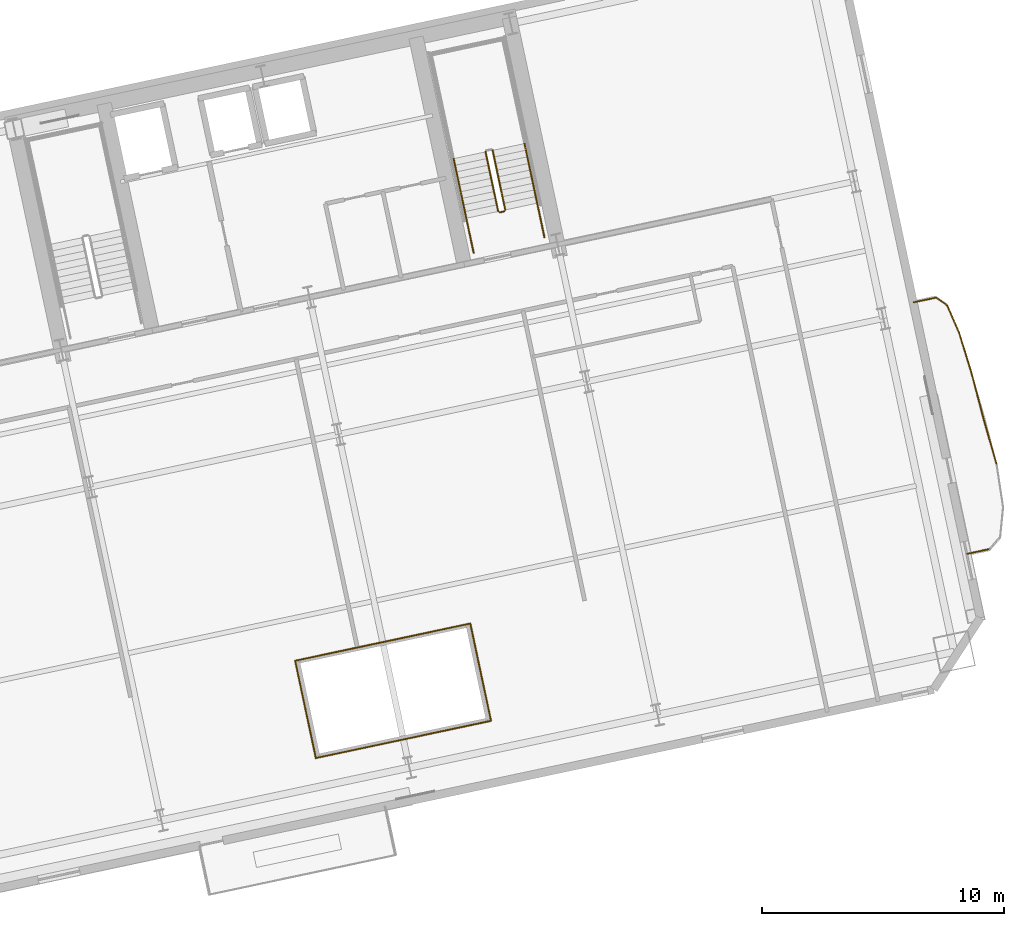
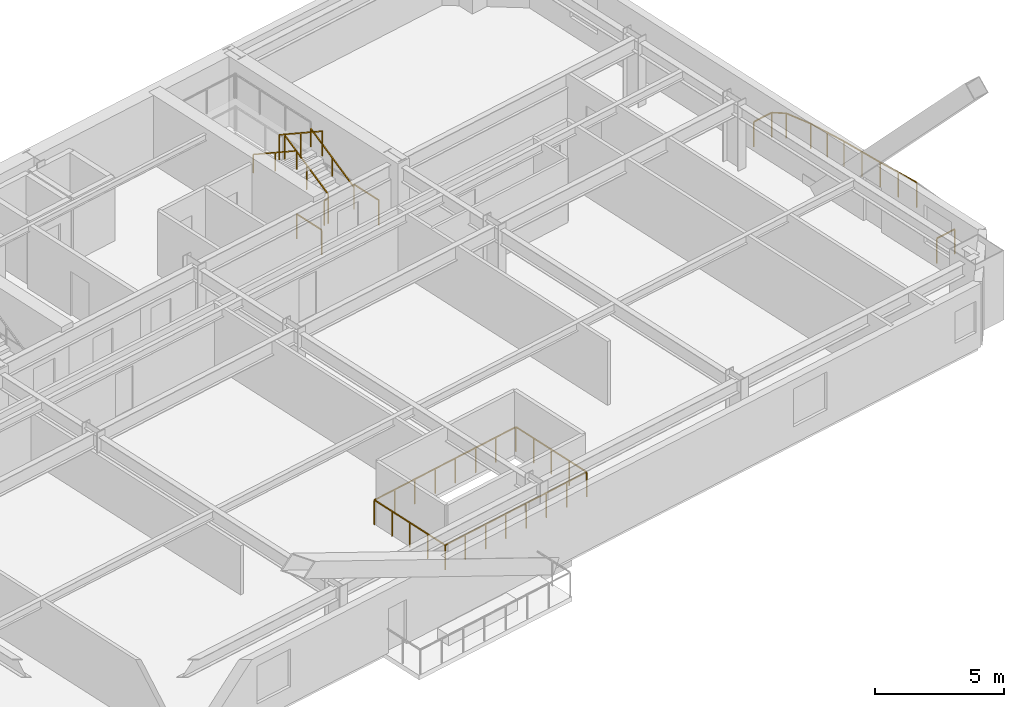
# One storey, part 16 of 18: 18 railings.
"""IFC4 building model written with IfcOpenShell, lengths in metres."""

from ifc_helpers import new_model, si_unit, direction, frame, origin, origin_2d, place, context, subcontext, project, spatial, rectangle, extrude, material, type_object, element, save


model = new_model("IFC4")

# Units and contexts
model_context = context("Model", 3, precision=1e-05, world=origin(), true_north=direction((0.0, 1.0)))
body_context = subcontext(model_context, "Body", "Model", "MODEL_VIEW")
ifc_project = project(units=[si_unit("LENGTHUNIT", "METRE"), si_unit("AREAUNIT", "SQUARE_METRE"), si_unit("VOLUMEUNIT", "CUBIC_METRE"), si_unit("PLANEANGLEUNIT", "RADIAN"), si_unit("MASSUNIT", "GRAM", prefix="KILO")], contexts=[model_context])

# Site, building, storey
site_placement = place(None, origin())
site = spatial("IfcSite", under=ifc_project, at=site_placement, CompositionType="ELEMENT")
building_placement = place(site_placement, origin())
building = spatial("IfcBuilding", under=site, at=building_placement, Name="Haevon Station Towers", CompositionType="ELEMENT")
storey_placement = place(building_placement, frame((0.0, 0.0, 60.300048828125)))
storey = spatial("IfcBuildingStorey", under=building, at=storey_placement, Name="L15", CompositionType="ELEMENT", Elevation=60.300048828125)

# Railings
ifc_material = material(Name="Steel S355", Category="steel")
railing_type_1 = type_object("IfcRailingType", Name="BAL-ATR1200", PredefinedType="BALUSTRADE", material=ifc_material)
railing_1_placement = place(storey_placement, frame((109.28857421875, 20.5556640625, 0.0)))
element("IfcRailing", 1, at=railing_1_placement, inside=storey, type_object=railing_type_1, Name="L15 Atrium Void Balustrade 1", PredefinedType="BALUSTRADE", context=body_context, shape_type="SweptSolid", body=[
    extrude(rectangle(XDim=0.048095703125, YDim=0.048095703125, at=origin_2d()), frame((0.0, 0.0, 1.17578125), z_axis=(0.978143440909, 0.207931260293, 0.0), x_axis=(-0.207931260293, 0.978143440909, 0.0)), (0.0, 0.0, 1.0), 7.409912109375),
    extrude(rectangle(XDim=0.0419921875, YDim=0.0419921875, at=origin_2d()), origin(), (0.0, 0.0, 1.0), 1.15185546875),
    extrude(rectangle(XDim=0.0419921875, YDim=0.0419921875, at=origin_2d()), frame((1.035400390625, 0.22021484375, 0.0)), (0.0, 0.0, 1.0), 1.15185546875),
    extrude(rectangle(XDim=0.0419921875, YDim=0.0419921875, at=origin_2d()), frame((2.07080078125, 0.440185546875, 0.0)), (0.0, 0.0, 1.0), 1.15185546875),
    extrude(rectangle(XDim=0.0419921875, YDim=0.0419921875, at=origin_2d()), frame((3.106201171875, 0.660400390625, 0.0)), (0.0, 0.0, 1.0), 1.15185546875),
    extrude(rectangle(XDim=0.0419921875, YDim=0.0419921875, at=origin_2d()), frame((4.141845703125, 0.88037109375, 0.0)), (0.0, 0.0, 1.0), 1.15185546875),
    extrude(rectangle(XDim=0.0419921875, YDim=0.0419921875, at=origin_2d()), frame((5.17724609375, 1.1005859375, 0.0)), (0.0, 0.0, 1.0), 1.15185546875),
    extrude(rectangle(XDim=0.0419921875, YDim=0.0419921875, at=origin_2d()), frame((6.212646484375, 1.320556640625, 0.0)), (0.0, 0.0, 1.0), 1.15185546875),
    extrude(rectangle(XDim=0.0419921875, YDim=0.0419921875, at=origin_2d()), frame((7.248046875, 1.540771484375, 0.0)), (0.0, 0.0, 1.0), 1.15185546875),
])
railing_2_placement = place(storey_placement, frame((116.53662109375, 22.096435546875, 0.0)))
element("IfcRailing", 2, at=railing_2_placement, inside=storey, type_object=railing_type_1, Name="L15 Atrium Void Balustrade 2", PredefinedType="BALUSTRADE", context=body_context, shape_type="SweptSolid", body=[
    extrude(rectangle(XDim=0.048095703125, YDim=0.048095703125, at=origin_2d()), frame((0.0, 0.0, 1.17578125), z_axis=(-0.207941039024, 0.97814136212, 0.0), x_axis=(-0.97814136212, -0.207941039024, 0.0)), (0.0, 0.0, 1.0), 4.116455078125),
    extrude(rectangle(XDim=0.0419921875, YDim=0.0419921875, at=origin_2d()), origin(), (0.0, 0.0, 1.0), 1.15185546875),
    extrude(rectangle(XDim=0.0419921875, YDim=0.0419921875, at=origin_2d()), frame((-0.2138671875, 1.006591796875, 0.0)), (0.0, 0.0, 1.0), 1.15185546875),
    extrude(rectangle(XDim=0.0419921875, YDim=0.0419921875, at=origin_2d()), frame((-0.427978515625, 2.01318359375, 0.0)), (0.0, 0.0, 1.0), 1.15185546875),
    extrude(rectangle(XDim=0.0419921875, YDim=0.0419921875, at=origin_2d()), frame((-0.64208984375, 3.019775390625, 0.0)), (0.0, 0.0, 1.0), 1.15185546875),
    extrude(rectangle(XDim=0.0419921875, YDim=0.0419921875, at=origin_2d()), frame((-0.85595703125, 4.0263671875, 0.0)), (0.0, 0.0, 1.0), 1.15185546875),
])
railing_3_placement = place(storey_placement, frame((115.6806640625, 26.122802734375, 0.0)))
element("IfcRailing", 3, at=railing_3_placement, inside=storey, type_object=railing_type_1, Name="L15 Atrium Void Balustrade 3", PredefinedType="BALUSTRADE", context=body_context, shape_type="SweptSolid", body=[
    extrude(rectangle(XDim=0.048095703125, YDim=0.048095703125, at=origin_2d()), frame((0.0, 0.0, 1.17578125), z_axis=(-0.978148717371, -0.207906437384, 0.0), x_axis=(0.207906437384, -0.978148717371, 0.0)), (0.0, 0.0, 1.0), 7.40966796875),
    extrude(rectangle(XDim=0.0419921875, YDim=0.0419921875, at=origin_2d()), origin(), (0.0, 0.0, 1.0), 1.15185546875),
    extrude(rectangle(XDim=0.0419921875, YDim=0.0419921875, at=origin_2d()), frame((-1.035400390625, -0.219970703125, 0.0)), (0.0, 0.0, 1.0), 1.15185546875),
    extrude(rectangle(XDim=0.0419921875, YDim=0.0419921875, at=origin_2d()), frame((-2.07080078125, -0.440185546875, 0.0)), (0.0, 0.0, 1.0), 1.15185546875),
    extrude(rectangle(XDim=0.0419921875, YDim=0.0419921875, at=origin_2d()), frame((-3.106201171875, -0.66015625, 0.0)), (0.0, 0.0, 1.0), 1.15185546875),
    extrude(rectangle(XDim=0.0419921875, YDim=0.0419921875, at=origin_2d()), frame((-4.1416015625, -0.88037109375, 0.0)), (0.0, 0.0, 1.0), 1.15185546875),
    extrude(rectangle(XDim=0.0419921875, YDim=0.0419921875, at=origin_2d()), frame((-5.177001953125, -1.100341796875, 0.0)), (0.0, 0.0, 1.0), 1.15185546875),
    extrude(rectangle(XDim=0.0419921875, YDim=0.0419921875, at=origin_2d()), frame((-6.21240234375, -1.320556640625, 0.0)), (0.0, 0.0, 1.0), 1.15185546875),
    extrude(rectangle(XDim=0.0419921875, YDim=0.0419921875, at=origin_2d()), frame((-7.247802734375, -1.54052734375, 0.0)), (0.0, 0.0, 1.0), 1.15185546875),
])
railing_4_placement = place(storey_placement, frame((108.432861328125, 24.582275390625, 0.0)))
element("IfcRailing", 4, at=railing_4_placement, inside=storey, type_object=railing_type_1, Name="L15 Atrium Void Balustrade 4", PredefinedType="BALUSTRADE", context=body_context, shape_type="SweptSolid", body=[
    extrude(rectangle(XDim=0.048095703125, YDim=0.048095703125, at=origin_2d()), frame((0.0, 0.0, 1.17578125), z_axis=(0.207872232727, -0.978155986978, 0.0), x_axis=(0.978155986978, 0.207872232727, 0.0)), (0.0, 0.0, 1.0), 4.116455078125),
    extrude(rectangle(XDim=0.0419921875, YDim=0.0419921875, at=origin_2d()), origin(), (0.0, 0.0, 1.0), 1.15185546875),
    extrude(rectangle(XDim=0.0419921875, YDim=0.0419921875, at=origin_2d()), frame((0.2138671875, -1.006591796875, 0.0)), (0.0, 0.0, 1.0), 1.15185546875),
    extrude(rectangle(XDim=0.0419921875, YDim=0.0419921875, at=origin_2d()), frame((0.427734375, -2.01318359375, 0.0)), (0.0, 0.0, 1.0), 1.15185546875),
    extrude(rectangle(XDim=0.0419921875, YDim=0.0419921875, at=origin_2d()), frame((0.641845703125, -3.02001953125, 0.0)), (0.0, 0.0, 1.0), 1.15185546875),
    extrude(rectangle(XDim=0.0419921875, YDim=0.0419921875, at=origin_2d()), frame((0.855712890625, -4.026611328125, 0.0)), (0.0, 0.0, 1.0), 1.15185546875),
])
railing_type_2 = type_object("IfcRailingType", Name="GRD-EXT1200", PredefinedType="GUARDRAIL", material=ifc_material)
railing_5_placement = place(storey_placement, frame((136.248779296875, 29.0068359375, 0.0)))
element("IfcRailing", 5, at=railing_5_placement, inside=storey, type_object=railing_type_2, Name="L15 Perimeter Guardrail 1", PredefinedType="GUARDRAIL", context=body_context, shape_type="SweptSolid", body=[
    extrude(rectangle(XDim=0.048095703125, YDim=0.048095703125, at=origin_2d()), frame((0.0, 0.0, 1.17578125), z_axis=(0.977684892297, 0.210076774952, 0.0), x_axis=(-0.210076774952, 0.977684892297, 0.0)), (0.0, 0.0, 1.0), 0.943603515625),
    extrude(rectangle(XDim=0.0419921875, YDim=0.0419921875, at=origin_2d()), origin(), (0.0, 0.0, 1.0), 1.15185546875),
    extrude(rectangle(XDim=0.0419921875, YDim=0.0419921875, at=origin_2d()), frame((0.922607421875, 0.1982421875, 0.0)), (0.0, 0.0, 1.0), 1.15185546875),
])
railing_6_placement = place(storey_placement, frame((137.4755859375, 32.673095703125, 0.0)))
element("IfcRailing", 6, at=railing_6_placement, inside=storey, type_object=railing_type_2, Name="L15 Perimeter Guardrail 5", PredefinedType="GUARDRAIL", context=body_context, shape_type="SweptSolid", body=[
    extrude(rectangle(XDim=0.048095703125, YDim=0.048095703125, at=origin_2d()), frame((0.0, 0.0, 1.17578125), z_axis=(-0.275948696534, 0.961172365854, 0.0), x_axis=(-0.961172365854, -0.275948696534, 0.0)), (0.0, 0.0, 1.0), 1.995849609375),
    extrude(rectangle(XDim=0.0419921875, YDim=0.0419921875, at=origin_2d()), origin(), (0.0, 0.0, 1.0), 1.15185546875),
    extrude(rectangle(XDim=0.0419921875, YDim=0.0419921875, at=origin_2d()), frame((-0.275390625, 0.959228515625, 0.0)), (0.0, 0.0, 1.0), 1.15185546875),
    extrude(rectangle(XDim=0.0419921875, YDim=0.0419921875, at=origin_2d()), frame((-0.55078125, 1.91845703125, 0.0)), (0.0, 0.0, 1.0), 1.15185546875),
])
railing_7_placement = place(storey_placement, frame((136.9248046875, 34.591552734375, 0.0)))
element("IfcRailing", 7, at=railing_7_placement, inside=storey, type_object=railing_type_2, Name="L15 Perimeter Guardrail 6", PredefinedType="GUARDRAIL", context=body_context, shape_type="SweptSolid", body=[
    extrude(rectangle(XDim=0.048095703125, YDim=0.048095703125, at=origin_2d()), frame((0.0, 0.0, 1.17578125), z_axis=(-0.254088852988, 0.967180880077, 0.0), x_axis=(-0.967180880077, -0.254088852988, 0.0)), (0.0, 0.0, 1.0), 1.990966796875),
    extrude(rectangle(XDim=0.0419921875, YDim=0.0419921875, at=origin_2d()), origin(), (0.0, 0.0, 1.0), 1.15185546875),
    extrude(rectangle(XDim=0.0419921875, YDim=0.0419921875, at=origin_2d()), frame((-0.2529296875, 0.962890625, 0.0)), (0.0, 0.0, 1.0), 1.15185546875),
    extrude(rectangle(XDim=0.0419921875, YDim=0.0419921875, at=origin_2d()), frame((-0.505859375, 1.925537109375, 0.0)), (0.0, 0.0, 1.0), 1.15185546875),
])
railing_8_placement = place(storey_placement, frame((136.4189453125, 36.51708984375, 0.0)))
element("IfcRailing", 8, at=railing_8_placement, inside=storey, type_object=railing_type_2, Name="L15 Perimeter Guardrail 7", PredefinedType="GUARDRAIL", context=body_context, shape_type="SweptSolid", body=[
    extrude(rectangle(XDim=0.048095703125, YDim=0.048095703125, at=origin_2d()), frame((0.0, 0.0, 1.17578125), z_axis=(-0.295354688832, 0.955387674081, 0.0), x_axis=(-0.955387674081, -0.295354688832, 0.0)), (0.0, 0.0, 1.0), 1.75732421875),
    extrude(rectangle(XDim=0.0419921875, YDim=0.0419921875, at=origin_2d()), origin(), (0.0, 0.0, 1.0), 1.15185546875),
    extrude(rectangle(XDim=0.0419921875, YDim=0.0419921875, at=origin_2d()), frame((-0.259521484375, 0.83935546875, 0.0)), (0.0, 0.0, 1.0), 1.15185546875),
    extrude(rectangle(XDim=0.0419921875, YDim=0.0419921875, at=origin_2d()), frame((-0.51904296875, 1.678955078125, 0.0)), (0.0, 0.0, 1.0), 1.15185546875),
])
railing_9_placement = place(storey_placement, frame((135.89990234375, 38.196044921875, 0.0)))
element("IfcRailing", 9, at=railing_9_placement, inside=storey, type_object=railing_type_2, Name="L15 Perimeter Guardrail 8", PredefinedType="GUARDRAIL", context=body_context, shape_type="SweptSolid", body=[
    extrude(rectangle(XDim=0.048095703125, YDim=0.048095703125, at=origin_2d()), frame((0.0, 0.0, 1.17578125), z_axis=(-0.400765228668, 0.916180785375, 0.0), x_axis=(-0.916180785375, -0.400765228668, 0.0)), (0.0, 0.0, 1.0), 1.194580078125),
    extrude(rectangle(XDim=0.0419921875, YDim=0.0419921875, at=origin_2d()), origin(), (0.0, 0.0, 1.0), 1.15185546875),
    extrude(rectangle(XDim=0.0419921875, YDim=0.0419921875, at=origin_2d()), frame((-0.478759765625, 1.094482421875, 0.0)), (0.0, 0.0, 1.0), 1.15185546875),
])
railing_10_placement = place(storey_placement, frame((135.421142578125, 39.29052734375, 0.0)))
element("IfcRailing", 10, at=railing_10_placement, inside=storey, type_object=railing_type_2, Name="L15 Perimeter Guardrail 9", PredefinedType="GUARDRAIL", context=body_context, shape_type="SweptSolid", body=[
    extrude(rectangle(XDim=0.048095703125, YDim=0.048095703125, at=origin_2d()), frame((0.0, 0.0, 1.17578125), z_axis=(-0.820126954301, 0.572181596024, 0.0), x_axis=(-0.572181596024, -0.820126954301, 0.0)), (0.0, 0.0, 1.0), 0.563232421875),
    extrude(rectangle(XDim=0.0419921875, YDim=0.0419921875, at=origin_2d()), origin(), (0.0, 0.0, 1.0), 1.15185546875),
    extrude(rectangle(XDim=0.0419921875, YDim=0.0419921875, at=origin_2d()), frame((-0.4619140625, 0.322265625, 0.0)), (0.0, 0.0, 1.0), 1.15185546875),
])
railing_11_placement = place(storey_placement, frame((134.959228515625, 39.61279296875, 0.0)))
element("IfcRailing", 11, at=railing_11_placement, inside=storey, type_object=railing_type_2, Name="L15 Perimeter Guardrail 10", PredefinedType="GUARDRAIL", context=body_context, shape_type="SweptSolid", body=[
    extrude(rectangle(XDim=0.048095703125, YDim=0.048095703125, at=origin_2d()), frame((0.0, 0.0, 1.17578125), z_axis=(-0.978560764673, -0.205958320645, 0.0), x_axis=(0.205958320645, -0.978560764673, 0.0)), (0.0, 0.0, 1.0), 0.943603515625),
    extrude(rectangle(XDim=0.0419921875, YDim=0.0419921875, at=origin_2d()), origin(), (0.0, 0.0, 1.0), 1.15185546875),
    extrude(rectangle(XDim=0.0419921875, YDim=0.0419921875, at=origin_2d()), frame((-0.92333984375, -0.1943359375, 0.0)), (0.0, 0.0, 1.0), 1.15185546875),
])
railing_type_3 = type_object("IfcRailingType", Name="GRD-STR1200", PredefinedType="GUARDRAIL", material=ifc_material)
railing_12_placement = place(storey_placement, frame((117.128662109375, 43.23974609375, 0.1650390625)))
element("IfcRailing", 12, at=railing_12_placement, inside=storey, type_object=railing_type_3, Name="L15 ST4 Stair Guard 1", PredefinedType="GUARDRAIL", context=body_context, shape_type="SweptSolid", body=[
    extrude(rectangle(XDim=0.048095703125, YDim=0.048095703125, at=origin_2d()), frame((0.0, 0.0, 1.17578125), z_axis=(-0.179128856099, 0.842723639875, 0.507670877349), x_axis=(-0.978147030254, -0.207914374695, 0.0)), (0.0, 0.0, 1.0), 2.9248046875),
    extrude(rectangle(XDim=0.0419921875, YDim=0.0419921875, at=origin_2d()), origin(), (0.0, 0.0, 1.0), 1.15185546875),
    extrude(rectangle(XDim=0.0419921875, YDim=0.0419921875, at=origin_2d()), frame((-0.261962890625, 1.232421875, 0.742431640625)), (0.0, 0.0, 1.0), 1.15185546875),
    extrude(rectangle(XDim=0.0419921875, YDim=0.0419921875, at=origin_2d()), frame((-0.52392578125, 2.46484375, 1.48486328125)), (0.0, 0.0, 1.0), 1.15185546875),
])
railing_13_placement = place(storey_placement, frame((116.311279296875, 45.642333984375, 1.81494140625)))
element("IfcRailing", 13, at=railing_13_placement, inside=storey, type_object=railing_type_3, Name="L15 ST4 Stair Guard 6", PredefinedType="GUARDRAIL", context=body_context, shape_type="SweptSolid", body=[
    extrude(rectangle(XDim=0.048095703125, YDim=0.048095703125, at=origin_2d()), frame((0.0, 0.0, 1.17578125), z_axis=(0.179108667068, -0.842712120868, 0.50769712105), x_axis=(0.978151217824, 0.207894673017, 0.0)), (0.0, 0.0, 1.0), 2.92529296875),
    extrude(rectangle(XDim=0.0419921875, YDim=0.0419921875, at=origin_2d()), origin(), (0.0, 0.0, 1.0), 1.15185546875),
    extrude(rectangle(XDim=0.0419921875, YDim=0.0419921875, at=origin_2d()), frame((0.261962890625, -1.232421875, 0.74267578125)), (0.0, 0.0, 1.0), 1.15185546875),
    extrude(rectangle(XDim=0.0419921875, YDim=0.0419921875, at=origin_2d()), frame((0.52392578125, -2.465087890625, 1.485107421875)), (0.0, 0.0, 1.0), 1.15185546875),
])
railing_14_placement = place(storey_placement, frame((117.090087890625, 43.180419921875, 0.0)))
element("IfcRailing", 14, at=railing_14_placement, inside=storey, type_object=railing_type_3, Name="L15 ST4 Stair Guard 7", PredefinedType="GUARDRAIL", context=body_context, shape_type="SweptSolid", body=[
    extrude(rectangle(XDim=0.048095703125, YDim=0.048095703125, at=origin_2d()), frame((0.0, 0.0, 1.17578125), z_axis=(-0.978211583308, -0.207610448392, 0.0), x_axis=(0.207610448392, -0.978211583308, 0.0)), (0.0, 0.0, 1.0), 0.199951171875),
    extrude(rectangle(XDim=0.0419921875, YDim=0.0419921875, at=origin_2d()), origin(), (0.0, 0.0, 1.0), 1.15185546875),
    extrude(rectangle(XDim=0.0419921875, YDim=0.0419921875, at=origin_2d()), frame((-0.195556640625, -0.04150390625, 0.0)), (0.0, 0.0, 1.0), 1.15185546875),
])
for number, where, name in (
    (15, (118.75048828125, 42.10205078125, 0.0), "L15 ST4 Stair Guard 8"),
    (16, (115.816162109375, 41.478271484375, 0.0), "L15 ST4 Stair Guard 9"),
):
    element("IfcRailing", number, at=place(storey_placement, frame(where)), inside=storey, type_object=railing_type_3, Name=name, PredefinedType="GUARDRAIL", context=body_context, shape_type="SweptSolid", body=[
        extrude(rectangle(XDim=0.048095703125, YDim=0.048095703125, at=origin_2d()), frame((0.0, 0.0, 1.17578125), z_axis=(-0.207919161079, 0.978146012851, 0.0), x_axis=(-0.978146012851, -0.207919161079, 0.0)), (0.0, 0.0, 1.0), 1.4501953125),
        extrude(rectangle(XDim=0.0419921875, YDim=0.0419921875, at=origin_2d()), origin(), (0.0, 0.0, 1.0), 1.15185546875),
        extrude(rectangle(XDim=0.0419921875, YDim=0.0419921875, at=origin_2d()), frame((-0.301513671875, 1.41845703125, 0.0)), (0.0, 0.0, 1.0), 1.15185546875),
    ])
railing_type_4 = type_object("IfcRailingType", Name="HND-STR900", PredefinedType="HANDRAIL", material=ifc_material)
railing_15_placement = place(storey_placement, frame((118.448974609375, 43.5205078125, 0.1650390625)))
element("IfcRailing", 17, at=railing_15_placement, inside=storey, type_object=railing_type_4, Name="L15 ST4 Stair Handrail 1", PredefinedType="HANDRAIL", context=body_context, shape_type="SweptSolid", body=[
    extrude(rectangle(XDim=0.048095703125, YDim=0.048095703125, at=origin_2d()), frame((0.0, 0.0, 0.8759765625), z_axis=(-0.179128856099, 0.842723639875, 0.507670877349), x_axis=(-0.978147030254, -0.207914374695, 0.0)), (0.0, 0.0, 1.0), 2.9248046875),
    extrude(rectangle(XDim=0.0419921875, YDim=0.0419921875, at=origin_2d()), origin(), (0.0, 0.0, 1.0), 0.851806640625),
    extrude(rectangle(XDim=0.0419921875, YDim=0.0419921875, at=origin_2d()), frame((-0.261962890625, 1.232421875, 0.742431640625)), (0.0, 0.0, 1.0), 0.851806640625),
    extrude(rectangle(XDim=0.0419921875, YDim=0.0419921875, at=origin_2d()), frame((-0.52392578125, 2.46484375, 1.48486328125)), (0.0, 0.0, 1.0), 0.851806640625),
])
railing_16_placement = place(storey_placement, frame((114.99072265625, 45.361572265625, 1.81494140625)))
element("IfcRailing", 18, at=railing_16_placement, inside=storey, type_object=railing_type_4, Name="L15 ST4 Stair Handrail 2", PredefinedType="HANDRAIL", context=body_context, shape_type="SweptSolid", body=[
    extrude(rectangle(XDim=0.048095703125, YDim=0.048095703125, at=origin_2d()), frame((0.0, 0.0, 0.8759765625), z_axis=(0.179121265225, -0.842687928106, 0.507732831485), x_axis=(0.978147030254, 0.207914374695, 0.0)), (0.0, 0.0, 1.0), 2.925048828125),
    extrude(rectangle(XDim=0.0419921875, YDim=0.0419921875, at=origin_2d()), origin(), (0.0, 0.0, 1.0), 0.851806640625),
    extrude(rectangle(XDim=0.0419921875, YDim=0.0419921875, at=origin_2d()), frame((0.261962890625, -1.232421875, 0.74267578125)), (0.0, 0.0, 1.0), 0.851806640625),
    extrude(rectangle(XDim=0.0419921875, YDim=0.0419921875, at=origin_2d()), frame((0.52392578125, -2.46484375, 1.485107421875)), (0.0, 0.0, 1.0), 0.851806640625),
])

save(model, "model.ifc")
